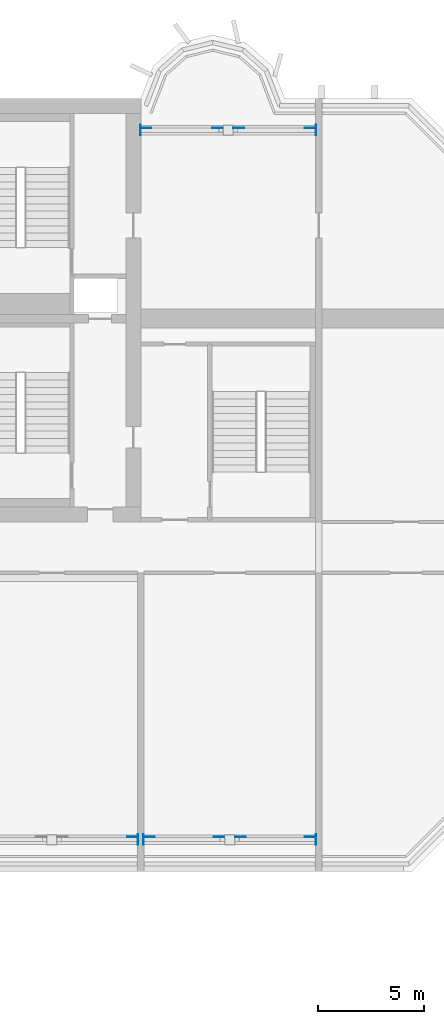
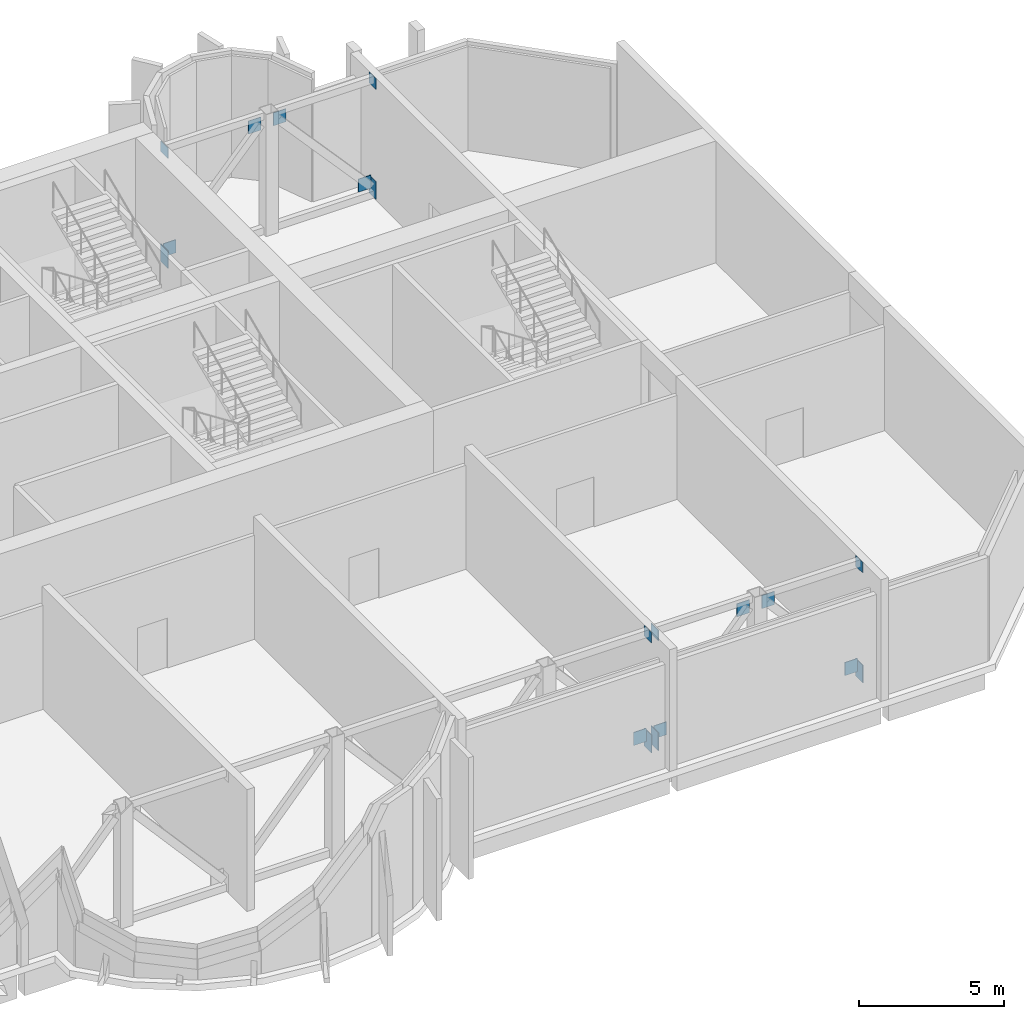
# One storey, part 11 of 15: 19 discrete accessories.
"""IFC4 building model written with IfcOpenShell, lengths in metres."""

from ifc_helpers import new_model, si_unit, direction, frame, origin, origin_2d, place, context, subcontext, project, spatial, rectangle, extrude, source, transform, mapped, material, layer, layer_set, type_object, element, save


model = new_model("IFC4")

# Units and contexts
model_context = context("Model", 3, precision=1e-05, world=origin(), true_north=direction((0.0, 1.0)))
body_context = subcontext(model_context, "Body", "Model", "MODEL_VIEW")
ifc_project = project(units=[si_unit("LENGTHUNIT", "METRE"), si_unit("AREAUNIT", "SQUARE_METRE"), si_unit("VOLUMEUNIT", "CUBIC_METRE"), si_unit("PLANEANGLEUNIT", "RADIAN"), si_unit("MASSUNIT", "GRAM", prefix="KILO")], contexts=[model_context])

# Site, building, storey
site_placement = place(None, origin())
site = spatial("IfcSite", under=ifc_project, at=site_placement, CompositionType="ELEMENT")
building_placement = place(site_placement, origin())
building = spatial("IfcBuilding", under=site, at=building_placement, Name="Vanashikhar Sky Hotel", CompositionType="ELEMENT")
storey_placement = place(building_placement, frame((0.0, 0.0, 201.0)))
storey = spatial("IfcBuildingStorey", under=building, at=storey_placement, Name="L49", CompositionType="ELEMENT", Elevation=201.0)

# Discrete accessories
ifc_material = material(Name="Steel S355", Category="steel")
ifc_layer_1 = layer(ifc_material, 0.030029296875)
ifc_layer_set_1 = layer_set([ifc_layer_1], Name="Cast-in anchor plate 500x750x30")
discrete_accessory_type_1 = type_object("IfcDiscreteAccessoryType", Name="Cast-in anchor plate 500x750x30", PredefinedType="ANCHORPLATE", material=ifc_layer_set_1)
shared_shape_1 = source(origin(), body_context, "Body", "SweptSolid", [
    extrude(rectangle(XDim=0.030029296875, YDim=0.5, at=origin_2d()), origin(), (0.0, 0.0, 1.0), 0.75),
])
for number, where, z_axis, x_axis, name in (
    (1, (75.465087890625, 7.0, 0.02490234375), (0.0, 0.0, 1.0), (1.0, 0.0, 0.0), "EP-L49-F07BB"),
    (2, (75.735107421875, 7.0, 0.02490234375), (0.0, 0.0, 1.0), (1.0, 0.0, 0.0), "EP-L49-F08AB"),
    (3, (83.864990234375, 7.0, 0.02490234375), (0.0, 0.0, 1.0), (1.0, 0.0, 0.0), "EP-L49-F08BB"),
    (4, (75.5849609375, 40.5, 0.02490234375), (0.0, 0.0, 1.0), (1.0, 0.0, 0.0), "EP-L49-R10AB"),
    (5, (83.864990234375, 40.5, 0.02490234375), (0.0, 0.0, 1.0), (1.0, 0.0, 0.0), "EP-L49-R10BB"),
):
    element("IfcDiscreteAccessory", number, at=place(storey_placement, frame(where, z_axis=z_axis, x_axis=x_axis)), inside=storey, type_object=discrete_accessory_type_1, Name=name, PredefinedType="ANCHORPLATE", context=body_context, shape_type="MappedRepresentation", body=[
        mapped(shared_shape_1, transform((0.0, 0.0, 0.0), scale=1.0)),
    ])
ifc_layer_2 = layer(ifc_material, 0.030029296875)
ifc_layer_set_2 = layer_set([ifc_layer_2], Name="Cast-in anchor plate 500x450x30")
discrete_accessory_type_2 = type_object("IfcDiscreteAccessoryType", Name="Cast-in anchor plate 500x450x30", PredefinedType="ANCHORPLATE", material=ifc_layer_set_2)
shared_shape_2 = source(origin(), body_context, "Body", "SweptSolid", [
    extrude(rectangle(XDim=0.030029296875, YDim=0.5, at=origin_2d()), origin(), (0.0, 0.0, 1.0), 0.449951171875),
])
for number, where, z_axis, x_axis, name in (
    (6, (75.465087890625, 7.0, 4.64501953125), (0.0, 0.0, 1.0), (1.0, 0.0, 0.0), "EP-L49-F07BT"),
    (7, (75.735107421875, 7.0, 4.64501953125), (0.0, 0.0, 1.0), (1.0, 0.0, 0.0), "EP-L49-F08AT"),
    (8, (83.864990234375, 7.0, 4.64501953125), (0.0, 0.0, 1.0), (1.0, 0.0, 0.0), "EP-L49-F08BT"),
    (9, (75.5849609375, 40.5, 4.64501953125), (0.0, 0.0, 1.0), (1.0, 0.0, 0.0), "EP-L49-R10AT"),
    (10, (83.864990234375, 40.5, 4.64501953125), (0.0, 0.0, 1.0), (1.0, 0.0, 0.0), "EP-L49-R10BT"),
):
    element("IfcDiscreteAccessory", number, at=place(storey_placement, frame(where, z_axis=z_axis, x_axis=x_axis)), inside=storey, type_object=discrete_accessory_type_2, Name=name, PredefinedType="ANCHORPLATE", context=body_context, shape_type="MappedRepresentation", body=[
        mapped(shared_shape_2, transform((0.0, 0.0, 0.0), scale=1.0)),
    ])
ifc_layer_3 = layer(ifc_material, 0.02490234375)
ifc_layer_set_3 = layer_set([ifc_layer_3], Name="Truss gusset plate 500x550x25")
discrete_accessory_type_3 = type_object("IfcDiscreteAccessoryType", Name="Truss gusset plate 500x550x25", PredefinedType="BRACKET", material=ifc_layer_set_3)
shared_shape_3 = source(origin(), body_context, "Body", "SweptSolid", [
    extrude(rectangle(XDim=0.5, YDim=0.02490234375, at=origin_2d()), origin(), (0.0, 0.0, 1.0), 0.550048828125),
])
for number, where, z_axis, x_axis, name in (
    (11, (75.199951171875, 7.112548828125, 0.2998046875), (0.0, 0.0, 1.0), (1.0, 0.0, 0.0), "GS-L49-F07RA"),
    (12, (76.0, 7.112548828125, 0.2998046875), (0.0, 0.0, 1.0), (1.0, 0.0, 0.0), "GS-L49-F08LA"),
    (13, (79.300048828125, 7.112548828125, 4.27001953125), (0.0, 0.0, 1.0), (1.0, 0.0, 0.0), "GS-L49-F08LB"),
    (14, (83.60009765625, 7.112548828125, 0.2998046875), (0.0, 0.0, 1.0), (1.0, 0.0, 0.0), "GS-L49-F08RA"),
    (15, (80.300048828125, 7.112548828125, 4.27001953125), (0.0, 0.0, 1.0), (1.0, 0.0, 0.0), "GS-L49-F08RB"),
    (16, (75.85009765625, 40.612548828125, 0.2998046875), (0.0, 0.0, 1.0), (1.0, 0.0, 0.0), "GS-L49-R10LA"),
    (17, (79.22509765625, 40.612548828125, 4.27001953125), (0.0, 0.0, 1.0), (1.0, 0.0, 0.0), "GS-L49-R10LB"),
    (18, (83.60009765625, 40.612548828125, 0.2998046875), (0.0, 0.0, 1.0), (1.0, 0.0, 0.0), "GS-L49-R10RA"),
    (19, (80.22509765625, 40.612548828125, 4.27001953125), (0.0, 0.0, 1.0), (1.0, 0.0, 0.0), "GS-L49-R10RB"),
):
    element("IfcDiscreteAccessory", number, at=place(storey_placement, frame(where, z_axis=z_axis, x_axis=x_axis)), inside=storey, type_object=discrete_accessory_type_3, Name=name, PredefinedType="BRACKET", context=body_context, shape_type="MappedRepresentation", body=[
        mapped(shared_shape_3, transform((0.0, 0.0, 0.0), scale=1.0)),
    ])

save(model, "model.ifc")
